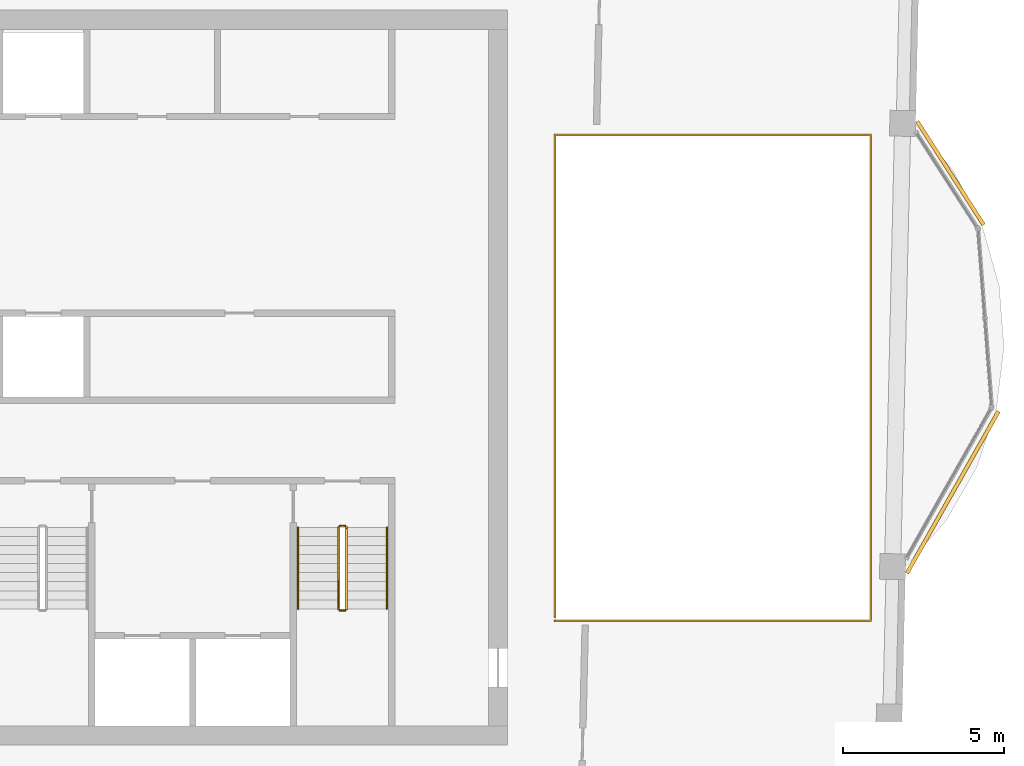
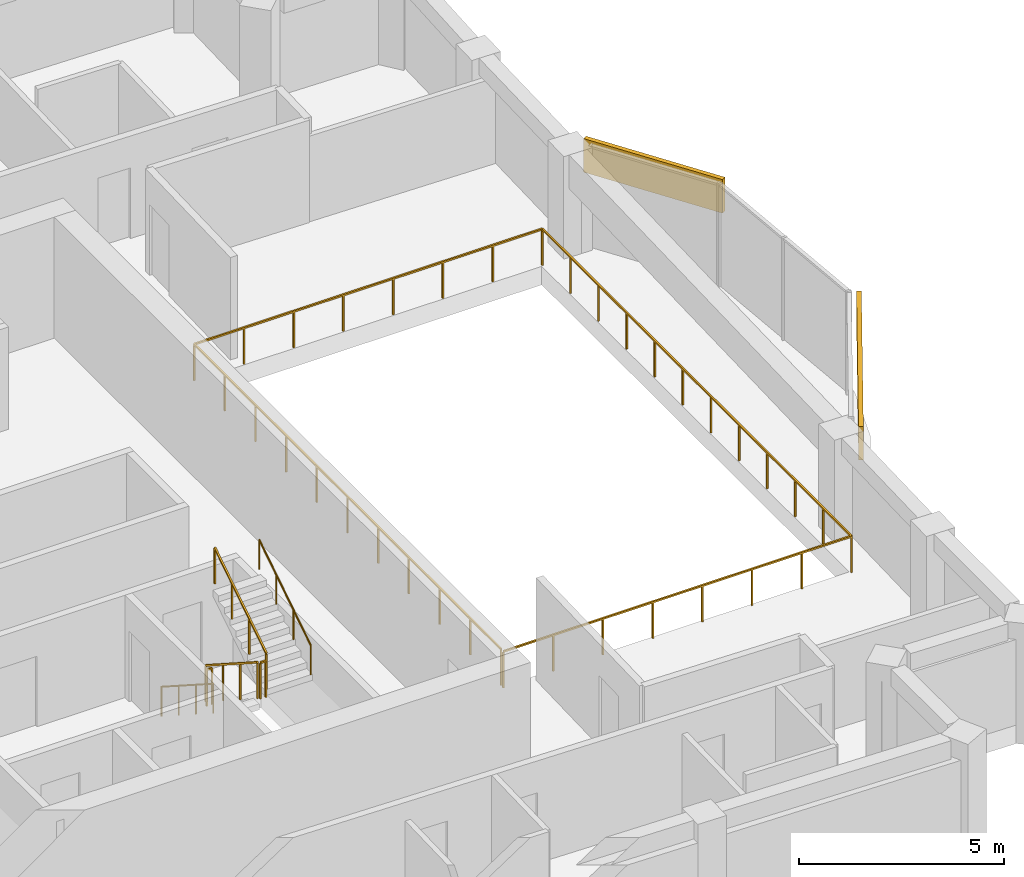
# One storey, part 12 of 12: 7 railings, 2 coverings.
"""IFC4 building model written with IfcOpenShell, lengths in metres."""

from ifc_helpers import new_model, si_unit, direction, frame, frame_2d, origin, origin_2d, place, context, subcontext, project, spatial, rectangle, circle, extrude, material, layer, layer_set, type_object, element, save


model = new_model("IFC4")

# Units and contexts
model_context = context("Model", 3, precision=1e-05, world=origin(), true_north=direction((0.0, 1.0)))
body_context = subcontext(model_context, "Body", "Model", "MODEL_VIEW")
ifc_project = project(units=[si_unit("LENGTHUNIT", "METRE"), si_unit("AREAUNIT", "SQUARE_METRE"), si_unit("VOLUMEUNIT", "CUBIC_METRE"), si_unit("PLANEANGLEUNIT", "RADIAN"), si_unit("MASSUNIT", "GRAM", prefix="KILO")], contexts=[model_context])

# Site, building, storey
site_placement = place(None, origin())
site = spatial("IfcSite", under=ifc_project, at=site_placement, CompositionType="ELEMENT")
building_placement = place(site_placement, origin())
building = spatial("IfcBuilding", under=site, at=building_placement, Name="Mangrove Gate Tower", CompositionType="ELEMENT")
storey_placement = place(building_placement, frame((0.0, 0.0, 342.5)))
storey = spatial("IfcBuildingStorey", under=building, at=storey_placement, Name="L87", CompositionType="ELEMENT", Elevation=342.5)

# Railings
ifc_material_1 = material(Name="Stainless steel grade 316 with laminated glass infill", Category="steel")
railing_type_1 = type_object("IfcRailingType", Name="Balcony guard 1100", PredefinedType="GUARDRAIL", material=ifc_material_1)
railing_1_placement = place(storey_placement, frame((15.860107421875, -7.5400390625, 0.0)))
element("IfcRailing", 1, at=railing_1_placement, inside=storey, type_object=railing_type_1, Name="GUARD L87 atrium", PredefinedType="GUARDRAIL", context=body_context, shape_type="SweptSolid", body=[
    extrude(rectangle(XDim=0.048095703125, YDim=0.048095703125, at=origin_2d()), frame((0.0, 0.0, 1.076171875), z_axis=(1.0, 0.0, 0.0), x_axis=(0.0, 1.0, 0.0)), (0.0, 0.0, 1.0), 9.802978515625),
    extrude(rectangle(XDim=0.048095703125, YDim=0.048095703125, at=origin_2d()), frame((9.802978515625, 0.0, 1.076171875), z_axis=(0.0, 1.0, 0.0), x_axis=(-1.0, 0.0, 0.0)), (0.0, 0.0, 1.0), 15.080078125),
    extrude(rectangle(XDim=0.048095703125, YDim=0.048095703125, at=origin_2d()), frame((9.802978515625, 15.080078125, 1.076171875), z_axis=(-1.0, 0.0, 0.0), x_axis=(0.0, -1.0, 0.0)), (0.0, 0.0, 1.0), 9.802978515625),
    extrude(rectangle(XDim=0.048095703125, YDim=0.048095703125, at=origin_2d()), frame((0.0, 15.080078125, 1.076171875), z_axis=(0.0, -1.0, 0.0), x_axis=(1.0, 0.0, 0.0)), (0.0, 0.0, 1.0), 14.9599609375),
    extrude(rectangle(XDim=0.0419921875, YDim=0.0419921875, at=origin_2d()), origin(), (0.0, 0.0, 1.0), 1.052001953125),
    extrude(rectangle(XDim=0.0419921875, YDim=0.0419921875, at=origin_2d()), frame((1.400390625, 0.0, 0.0)), (0.0, 0.0, 1.0), 1.052001953125),
    extrude(rectangle(XDim=0.0419921875, YDim=0.0419921875, at=origin_2d()), frame((2.80078125, 0.0, 0.0)), (0.0, 0.0, 1.0), 1.052001953125),
    extrude(rectangle(XDim=0.0419921875, YDim=0.0419921875, at=origin_2d()), frame((4.201171875, 0.0, 0.0)), (0.0, 0.0, 1.0), 1.052001953125),
    extrude(rectangle(XDim=0.0419921875, YDim=0.0419921875, at=origin_2d()), frame((5.601806640625, 0.0, 0.0)), (0.0, 0.0, 1.0), 1.052001953125),
    extrude(rectangle(XDim=0.0419921875, YDim=0.0419921875, at=origin_2d()), frame((7.002197265625, 0.0, 0.0)), (0.0, 0.0, 1.0), 1.052001953125),
    extrude(rectangle(XDim=0.0419921875, YDim=0.0419921875, at=origin_2d()), frame((8.402587890625, 0.0, 0.0)), (0.0, 0.0, 1.0), 1.052001953125),
    extrude(rectangle(XDim=0.0419921875, YDim=0.0419921875, at=origin_2d()), frame((9.802978515625, 0.0, 0.0)), (0.0, 0.0, 1.0), 1.052001953125),
    extrude(rectangle(XDim=0.0419921875, YDim=0.0419921875, at=origin_2d()), frame((9.802978515625, 1.370849609375, 0.0)), (0.0, 0.0, 1.0), 1.052001953125),
    extrude(rectangle(XDim=0.0419921875, YDim=0.0419921875, at=origin_2d()), frame((9.802978515625, 2.741943359375, 0.0)), (0.0, 0.0, 1.0), 1.052001953125),
    extrude(rectangle(XDim=0.0419921875, YDim=0.0419921875, at=origin_2d()), frame((9.802978515625, 4.11279296875, 0.0)), (0.0, 0.0, 1.0), 1.052001953125),
    extrude(rectangle(XDim=0.0419921875, YDim=0.0419921875, at=origin_2d()), frame((9.802978515625, 5.483642578125, 0.0)), (0.0, 0.0, 1.0), 1.052001953125),
    extrude(rectangle(XDim=0.0419921875, YDim=0.0419921875, at=origin_2d()), frame((9.802978515625, 6.8544921875, 0.0)), (0.0, 0.0, 1.0), 1.052001953125),
    extrude(rectangle(XDim=0.0419921875, YDim=0.0419921875, at=origin_2d()), frame((9.802978515625, 8.2255859375, 0.0)), (0.0, 0.0, 1.0), 1.052001953125),
    extrude(rectangle(XDim=0.0419921875, YDim=0.0419921875, at=origin_2d()), frame((9.802978515625, 9.596435546875, 0.0)), (0.0, 0.0, 1.0), 1.052001953125),
    extrude(rectangle(XDim=0.0419921875, YDim=0.0419921875, at=origin_2d()), frame((9.802978515625, 10.96728515625, 0.0)), (0.0, 0.0, 1.0), 1.052001953125),
    extrude(rectangle(XDim=0.0419921875, YDim=0.0419921875, at=origin_2d()), frame((9.802978515625, 12.338134765625, 0.0)), (0.0, 0.0, 1.0), 1.052001953125),
    extrude(rectangle(XDim=0.0419921875, YDim=0.0419921875, at=origin_2d()), frame((9.802978515625, 13.709228515625, 0.0)), (0.0, 0.0, 1.0), 1.052001953125),
    extrude(rectangle(XDim=0.0419921875, YDim=0.0419921875, at=origin_2d()), frame((9.802978515625, 15.080078125, 0.0)), (0.0, 0.0, 1.0), 1.052001953125),
    extrude(rectangle(XDim=0.0419921875, YDim=0.0419921875, at=origin_2d()), frame((8.402587890625, 15.080078125, 0.0)), (0.0, 0.0, 1.0), 1.052001953125),
    extrude(rectangle(XDim=0.0419921875, YDim=0.0419921875, at=origin_2d()), frame((7.002197265625, 15.080078125, 0.0)), (0.0, 0.0, 1.0), 1.052001953125),
    extrude(rectangle(XDim=0.0419921875, YDim=0.0419921875, at=origin_2d()), frame((5.601806640625, 15.080078125, 0.0)), (0.0, 0.0, 1.0), 1.052001953125),
    extrude(rectangle(XDim=0.0419921875, YDim=0.0419921875, at=origin_2d()), frame((4.201171875, 15.080078125, 0.0)), (0.0, 0.0, 1.0), 1.052001953125),
    extrude(rectangle(XDim=0.0419921875, YDim=0.0419921875, at=origin_2d()), frame((2.80078125, 15.080078125, 0.0)), (0.0, 0.0, 1.0), 1.052001953125),
    extrude(rectangle(XDim=0.0419921875, YDim=0.0419921875, at=origin_2d()), frame((1.400390625, 15.080078125, 0.0)), (0.0, 0.0, 1.0), 1.052001953125),
    extrude(rectangle(XDim=0.0419921875, YDim=0.0419921875, at=origin_2d()), frame((0.0, 15.080078125, 0.0)), (0.0, 0.0, 1.0), 1.052001953125),
    extrude(rectangle(XDim=0.0419921875, YDim=0.0419921875, at=origin_2d()), frame((0.0, 13.583984375, 0.0)), (0.0, 0.0, 1.0), 1.052001953125),
    extrude(rectangle(XDim=0.0419921875, YDim=0.0419921875, at=origin_2d()), frame((0.0, 12.088134765625, 0.0)), (0.0, 0.0, 1.0), 1.052001953125),
    extrude(rectangle(XDim=0.0419921875, YDim=0.0419921875, at=origin_2d()), frame((0.0, 10.592041015625, 0.0)), (0.0, 0.0, 1.0), 1.052001953125),
    extrude(rectangle(XDim=0.0419921875, YDim=0.0419921875, at=origin_2d()), frame((0.0, 9.09619140625, 0.0)), (0.0, 0.0, 1.0), 1.052001953125),
    extrude(rectangle(XDim=0.0419921875, YDim=0.0419921875, at=origin_2d()), frame((0.0, 7.60009765625, 0.0)), (0.0, 0.0, 1.0), 1.052001953125),
    extrude(rectangle(XDim=0.0419921875, YDim=0.0419921875, at=origin_2d()), frame((0.0, 6.10400390625, 0.0)), (0.0, 0.0, 1.0), 1.052001953125),
    extrude(rectangle(XDim=0.0419921875, YDim=0.0419921875, at=origin_2d()), frame((0.0, 4.608154296875, 0.0)), (0.0, 0.0, 1.0), 1.052001953125),
    extrude(rectangle(XDim=0.0419921875, YDim=0.0419921875, at=origin_2d()), frame((0.0, 3.112060546875, 0.0)), (0.0, 0.0, 1.0), 1.052001953125),
    extrude(rectangle(XDim=0.0419921875, YDim=0.0419921875, at=origin_2d()), frame((0.0, 1.6162109375, 0.0)), (0.0, 0.0, 1.0), 1.052001953125),
    extrude(rectangle(XDim=0.0419921875, YDim=0.0419921875, at=origin_2d()), frame((0.0, 0.1201171875, 0.0)), (0.0, 0.0, 1.0), 1.052001953125),
])
ifc_material_2 = material(Name="Stainless steel 316", Category="steel")
railing_type_2 = type_object("IfcRailingType", Name="Core stair guard 1100", PredefinedType="GUARDRAIL", material=ifc_material_2)
railing_2_placement = place(storey_placement, frame((9.14990234375, -4.64990234375, 0.179931640625)))
element("IfcRailing", 2, at=railing_2_placement, inside=storey, type_object=railing_type_2, Name="L87 ST3 stair guard 1", PredefinedType="GUARDRAIL", context=body_context, shape_type="SweptSolid", body=[
    extrude(rectangle(XDim=0.048095703125, YDim=0.048095703125, at=origin_2d()), frame((0.0, 0.0, 1.076171875), z_axis=(0.0, -0.841162588446, 0.540782303519), x_axis=(1.0, 0.0, 0.0)), (0.0, 0.0, 1.0), 2.995849609375),
    extrude(rectangle(XDim=0.0419921875, YDim=0.0419921875, at=origin_2d()), origin(), (0.0, 0.0, 1.0), 1.052001953125),
    extrude(rectangle(XDim=0.0419921875, YDim=0.0419921875, at=origin_2d()), frame((0.0, -0.840087890625, 0.5400390625)), (0.0, 0.0, 1.0), 1.052001953125),
    extrude(rectangle(XDim=0.0419921875, YDim=0.0419921875, at=origin_2d()), frame((0.0, -1.679931640625, 1.080078125)), (0.0, 0.0, 1.0), 1.052001953125),
    extrude(rectangle(XDim=0.0419921875, YDim=0.0419921875, at=origin_2d()), frame((0.0, -2.52001953125, 1.6201171875)), (0.0, 0.0, 1.0), 1.052001953125),
])
railing_3_placement = place(storey_placement, frame((9.199951171875, -7.219970703125, 1.800048828125)))
element("IfcRailing", 3, at=railing_3_placement, inside=storey, type_object=railing_type_2, Name="L87 ST3 stair guard 2", PredefinedType="GUARDRAIL", context=body_context, shape_type="SweptSolid", body=[
    extrude(rectangle(XDim=0.048095703125, YDim=0.048095703125, at=origin_2d()), frame((0.0, 0.0, 1.076171875), z_axis=(1.0, 0.0, 0.0), x_axis=(0.0, 1.0, 0.0)), (0.0, 0.0, 1.0), 0.150146484375),
    extrude(rectangle(XDim=0.0419921875, YDim=0.0419921875, at=origin_2d()), origin(), (0.0, 0.0, 1.0), 1.052001953125),
    extrude(rectangle(XDim=0.0419921875, YDim=0.0419921875, at=origin_2d()), frame((0.150146484375, 0.0, 0.0)), (0.0, 0.0, 1.0), 1.052001953125),
])
railing_4_placement = place(storey_placement, frame((9.39990234375, -7.169921875, 1.97998046875)))
element("IfcRailing", 4, at=railing_4_placement, inside=storey, type_object=railing_type_2, Name="L87 ST3 stair guard 3", PredefinedType="GUARDRAIL", context=body_context, shape_type="SweptSolid", body=[
    extrude(rectangle(XDim=0.048095703125, YDim=0.048095703125, at=origin_2d()), frame((0.0, 0.0, 1.076171875), z_axis=(0.0, 0.841162588446, 0.540782303519), x_axis=(-1.0, 0.0, 0.0)), (0.0, 0.0, 1.0), 2.995849609375),
    extrude(rectangle(XDim=0.0419921875, YDim=0.0419921875, at=origin_2d()), origin(), (0.0, 0.0, 1.0), 1.052001953125),
    extrude(rectangle(XDim=0.0419921875, YDim=0.0419921875, at=origin_2d()), frame((0.0, 0.840087890625, 0.5400390625)), (0.0, 0.0, 1.0), 1.052001953125),
    extrude(rectangle(XDim=0.0419921875, YDim=0.0419921875, at=origin_2d()), frame((0.0, 1.679931640625, 1.080078125)), (0.0, 0.0, 1.0), 1.052001953125),
    extrude(rectangle(XDim=0.0419921875, YDim=0.0419921875, at=origin_2d()), frame((0.0, 2.52001953125, 1.6201171875)), (0.0, 0.0, 1.0), 1.052001953125),
])
railing_5_placement = place(storey_placement, frame((9.199951171875, -4.60009765625, 0.0)))
element("IfcRailing", 5, at=railing_5_placement, inside=storey, type_object=railing_type_2, Name="L87 ST3 stair guard 4", PredefinedType="GUARDRAIL", context=body_context, shape_type="SweptSolid", body=[
    extrude(rectangle(XDim=0.048095703125, YDim=0.048095703125, at=origin_2d()), frame((0.0, 0.0, 1.076171875), z_axis=(1.0, 0.0, 0.0), x_axis=(0.0, 1.0, 0.0)), (0.0, 0.0, 1.0), 0.150146484375),
    extrude(rectangle(XDim=0.0419921875, YDim=0.0419921875, at=origin_2d()), origin(), (0.0, 0.0, 1.0), 1.052001953125),
    extrude(rectangle(XDim=0.0419921875, YDim=0.0419921875, at=origin_2d()), frame((0.150146484375, 0.0, 0.0)), (0.0, 0.0, 1.0), 1.052001953125),
])
ifc_material_3 = material(Name="Stainless steel 316", Category="steel")
railing_type_3 = type_object("IfcRailingType", Name="Core stair handrail 900", PredefinedType="HANDRAIL", material=ifc_material_3)
railing_6_placement = place(storey_placement, frame((7.89990234375, -4.64990234375, 0.179931640625)))
element("IfcRailing", 6, at=railing_6_placement, inside=storey, type_object=railing_type_3, Name="L87 ST3 stair handrail 1", PredefinedType="HANDRAIL", context=body_context, shape_type="SweptSolid", body=[
    extrude(circle(Radius=0.02392578125, at=origin_2d()), frame((0.0, 0.0, 0.8759765625), z_axis=(0.0, -0.841162588446, 0.540782303519), x_axis=(1.0, 0.0, 0.0)), (0.0, 0.0, 1.0), 2.995849609375),
    extrude(circle(Radius=0.02099609375, at=origin_2d()), origin(), (0.0, 0.0, 1.0), 0.851806640625),
    extrude(circle(Radius=0.02099609375, at=origin_2d()), frame((0.0, -0.840087890625, 0.5400390625)), (0.0, 0.0, 1.0), 0.851806640625),
    extrude(circle(Radius=0.02099609375, at=origin_2d()), frame((0.0, -1.679931640625, 1.080078125)), (0.0, 0.0, 1.0), 0.851806640625),
    extrude(circle(Radius=0.02099609375, at=origin_2d()), frame((0.0, -2.52001953125, 1.6201171875)), (0.0, 0.0, 1.0), 0.851806640625),
])
railing_7_placement = place(storey_placement, frame((10.64990234375, -7.169921875, 1.97998046875)))
element("IfcRailing", 7, at=railing_7_placement, inside=storey, type_object=railing_type_3, Name="L87 ST3 stair handrail 2", PredefinedType="HANDRAIL", context=body_context, shape_type="SweptSolid", body=[
    extrude(circle(Radius=0.02392578125, at=origin_2d()), frame((0.0, 0.0, 0.8759765625), z_axis=(0.0, 0.841162588446, 0.540782303519), x_axis=(-1.0, 0.0, 0.0)), (0.0, 0.0, 1.0), 2.995849609375),
    extrude(circle(Radius=0.02099609375, at=origin_2d()), origin(), (0.0, 0.0, 1.0), 0.851806640625),
    extrude(circle(Radius=0.02099609375, at=origin_2d()), frame((0.0, 0.840087890625, 0.5400390625)), (0.0, 0.0, 1.0), 0.851806640625),
    extrude(circle(Radius=0.02099609375, at=origin_2d()), frame((0.0, 1.679931640625, 1.080078125)), (0.0, 0.0, 1.0), 0.851806640625),
    extrude(circle(Radius=0.02099609375, at=origin_2d()), frame((0.0, 2.52001953125, 1.6201171875)), (0.0, 0.0, 1.0), 0.851806640625),
])

# Coverings
ifc_material_4 = material(Name="Limestone", Category="masonry")
ifc_layer_1 = layer(ifc_material_4, 0.0400390625, Name="Limestone cladding")
ifc_material_5 = material(Name="Stainless steel anchors and cavity", Category="steel")
ifc_layer_2 = layer(ifc_material_5, 0.080078125, Name="Fixing cavity")
ifc_layer_set = layer_set([ifc_layer_1, ifc_layer_2], Name="Joint fascia cladding 120")
covering_type = type_object("IfcCoveringType", Name="Joint fascia cladding 120", PredefinedType="CLADDING", material=ifc_layer_set)
covering_1_placement = place(storey_placement, frame((26.78271484375, -6.062255859375, 2.050048828125), z_axis=(0.0, 0.0, 1.0), x_axis=(0.492676912429, 0.870212307405, 0.0)))
element("IfcCovering", 8, at=covering_1_placement, inside=storey, type_object=covering_type, Name="STONE FASCIA L87 E1.L1", PredefinedType="CLADDING", context=body_context, shape_type="SweptSolid", body=[
    extrude(rectangle(XDim=5.76318359375, YDim=0.1201171875, at=frame_2d((2.881591796875, 0.0))), origin(), (0.0, 0.0, 1.0), 1.0),
])
covering_2_placement = place(storey_placement, frame((29.158935546875, 4.742919921875, 2.050048828125), z_axis=(0.0, 0.0, 1.0), x_axis=(-0.540582812851, 0.841290807301, 0.0)))
element("IfcCovering", 9, at=covering_2_placement, inside=storey, type_object=covering_type, Name="STONE FASCIA L87 E1.L2", PredefinedType="CLADDING", context=body_context, shape_type="SweptSolid", body=[
    extrude(rectangle(XDim=3.8125, YDim=0.1201171875, at=frame_2d((1.90625, 0.0))), origin(), (0.0, 0.0, 1.0), 1.0),
])

save(model, "model.ifc")
